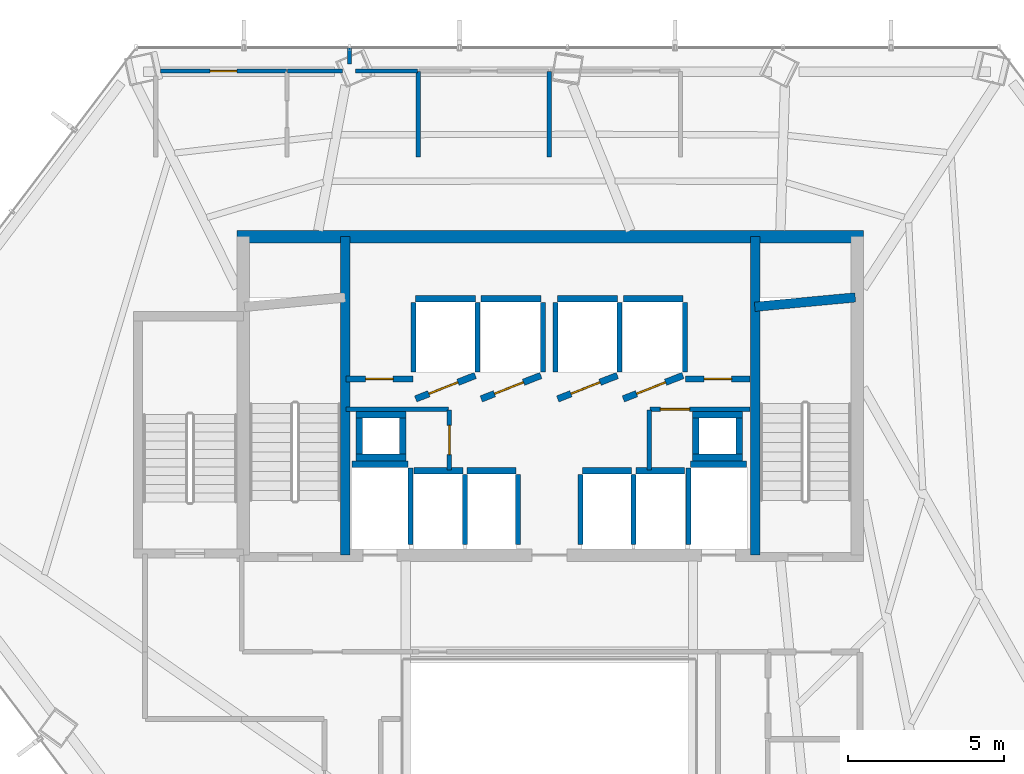
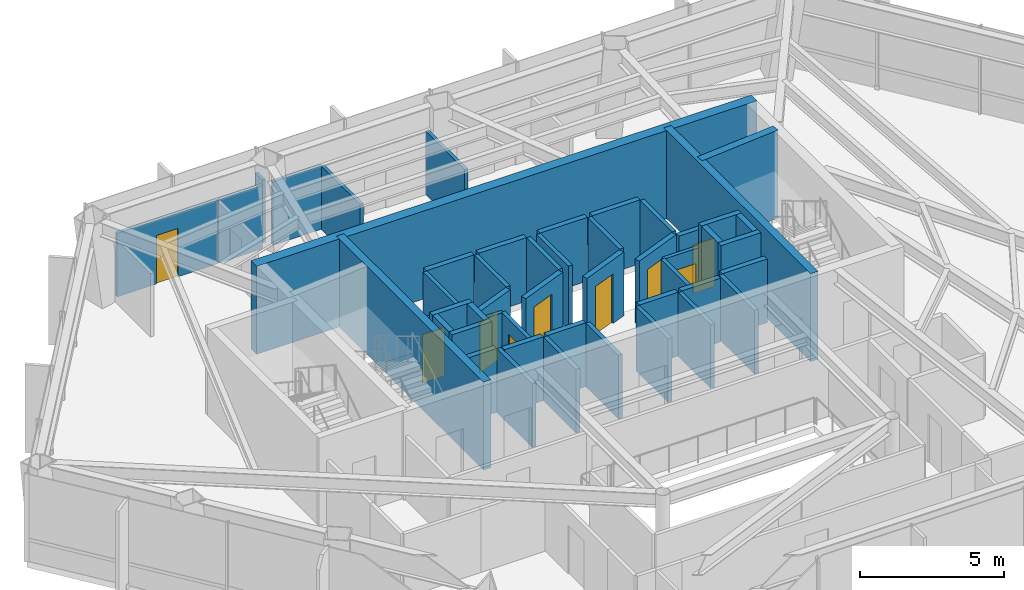
# One storey, part 23 of 25: 50 walls, 9 doors, 9 openings.
"""IFC4 building model written with IfcOpenShell, lengths in metres."""

from ifc_helpers import new_model, si_unit, direction, frame, frame_2d, origin, place, context, subcontext, project, spatial, rectangle, extrude, material, layer, layer_set, type_object, element, fill, save


model = new_model("IFC4")

# Units and contexts
model_context = context("Model", 3, precision=1e-05, world=origin(), true_north=direction((0.0, 1.0)))
body_context = subcontext(model_context, "Body", "Model", "MODEL_VIEW")
ifc_project = project(units=[si_unit("LENGTHUNIT", "METRE"), si_unit("AREAUNIT", "SQUARE_METRE"), si_unit("VOLUMEUNIT", "CUBIC_METRE"), si_unit("PLANEANGLEUNIT", "RADIAN"), si_unit("MASSUNIT", "GRAM", prefix="KILO")], contexts=[model_context])

# Site, building, storey
site_placement = place(None, origin())
site = spatial("IfcSite", under=ifc_project, at=site_placement, CompositionType="ELEMENT")
building_placement = place(site_placement, origin())
building = spatial("IfcBuilding", under=site, at=building_placement, Name="Zarrinselat Tower", CompositionType="ELEMENT")
storey_placement = place(building_placement, frame((0.0, 0.0, 105.06005859375)))
storey = spatial("IfcBuildingStorey", under=building, at=storey_placement, Name="L25", CompositionType="ELEMENT", Elevation=105.06005859375)

# Wall, opening, door
ifc_material_1 = material(Name="Fire-Rated Gypsum Board Partition", Category="gypsum")
ifc_layer_1 = layer(ifc_material_1, 0.14990234375)
ifc_layer_set_1 = layer_set([ifc_layer_1], Name="Fire-Rated Gypsum Board Partition")
wall_type_1 = type_object("IfcWallType", Name="WAL-PART-EI60", PredefinedType="PARTITIONING", material=ifc_layer_set_1)
wall_1_placement = place(storey_placement, frame((35.199951171875, 35.969970703125, 0.0), z_axis=(0.0, 0.0, 1.0), x_axis=(0.0, 1.0, 0.0)))
wall_1 = element("IfcWall", 1, at=wall_1_placement, inside=storey, type_object=wall_type_1, Name="L25 Partition Wall 1", PredefinedType="PARTITIONING", context=body_context, shape_type="SweptSolid", body=[
    extrude(rectangle(XDim=1.929931640625, YDim=0.14990234375, at=frame_2d((0.96484375, 0.0))), origin(), (0.0, 0.0, 1.0), 2.68701171875),
])
opening_1_placement = place(wall_1_placement, frame((0.4951171875, 0.0, 0.0)))
opening_1 = element("IfcOpeningElement", 2, at=opening_1_placement, cuts=wall_1, Name="Opening ID-04", PredefinedType="OPENING", context=body_context, shape_type="SweptSolid", body=[
    extrude(rectangle(XDim=0.93994140625, YDim=2.050048828125, at=frame_2d((0.469970703125, 1.02490234375))), frame((0.0, 0.0849609375, 0.0), z_axis=(0.0, -1.0, 0.0), x_axis=(1.0, 0.0, 0.0)), (0.0, 0.0, 1.0), 0.169921875),
])
ifc_material_2 = material(Name="Fire-Rated Gypsum Board Partition")
door_type_1 = type_object("IfcDoorType", Name="DR-INT-FD30-ENT", OperationType="NOTDEFINED", PredefinedType="DOOR", material=ifc_material_2)
door_1_placement = place(opening_1_placement, origin())
door_1 = element("IfcDoor", 3, at=door_1_placement, inside=storey, type_object=door_type_1, Name="L25 Interior Door P1", OperationType="SINGLE_SWING_RIGHT", OverallHeight=2.050048828125, OverallWidth=0.93994140625, PredefinedType="DOOR", context=body_context, shape_type="SweptSolid", body=[
    extrude(rectangle(XDim=0.93994140625, YDim=2.050048828125, at=frame_2d((0.469970703125, 1.02490234375))), frame((0.0, 0.02490234375, 0.0), z_axis=(0.0, -1.0, 0.0), x_axis=(1.0, 0.0, 0.0)), (0.0, 0.0, 1.0), 0.050048828125),
])
fill(opening_1, door_1)

# Wall
wall_2_placement = place(storey_placement, frame((31.885009765625, 37.919921875, 0.0), z_axis=(0.0, 0.0, 1.0), x_axis=(1.0, 0.0, 0.0)))
element("IfcWall", 4, at=wall_2_placement, inside=storey, type_object=wall_type_1, Name="L25 Partition Wall 2", PredefinedType="PARTITIONING", context=body_context, shape_type="SweptSolid", body=[
    extrude(rectangle(XDim=3.294921875, YDim=0.14990234375, at=frame_2d((1.6474609375, 0.0))), origin(), (0.0, 0.0, 1.0), 2.68701171875),
])

# Wall, opening, door
wall_3_placement = place(storey_placement, frame((41.6201171875, 37.919921875, 0.0), z_axis=(0.0, 0.0, 1.0), x_axis=(1.0, 0.0, 0.0)))
wall_3 = element("IfcWall", 5, at=wall_3_placement, inside=storey, type_object=wall_type_1, Name="L25 Partition Wall 5", PredefinedType="PARTITIONING", context=body_context, shape_type="SweptSolid", body=[
    extrude(rectangle(XDim=3.21484375, YDim=0.14990234375, at=frame_2d((1.607421875, 0.0))), origin(), (0.0, 0.0, 1.0), 2.68701171875),
])
opening_2_placement = place(wall_3_placement, frame((0.33740234375, 0.0, 0.0)))
opening_2 = element("IfcOpeningElement", 6, at=opening_2_placement, cuts=wall_3, Name="Opening ID-04", PredefinedType="OPENING", context=body_context, shape_type="SweptSolid", body=[
    extrude(rectangle(XDim=0.93994140625, YDim=2.050048828125, at=frame_2d((0.469970703125, 1.02490234375))), frame((0.0, 0.0849609375, 0.0), z_axis=(0.0, -1.0, 0.0), x_axis=(1.0, 0.0, 0.0)), (0.0, 0.0, 1.0), 0.169921875),
])
door_2_placement = place(opening_2_placement, origin())
door_2 = element("IfcDoor", 7, at=door_2_placement, inside=storey, type_object=door_type_1, Name="L25 Interior Door P5", OperationType="SINGLE_SWING_LEFT", OverallHeight=2.050048828125, OverallWidth=0.93994140625, PredefinedType="DOOR", context=body_context, shape_type="SweptSolid", body=[
    extrude(rectangle(XDim=0.93994140625, YDim=2.050048828125, at=frame_2d((0.469970703125, 1.02490234375))), frame((0.0, 0.02490234375, 0.0), z_axis=(0.0, -1.0, 0.0), x_axis=(1.0, 0.0, 0.0)), (0.0, 0.0, 1.0), 0.050048828125),
])
fill(opening_2, door_2)

# Wall
wall_4_placement = place(storey_placement, frame((41.60009765625, 35.969970703125, 0.0), z_axis=(0.0, 0.0, 1.0), x_axis=(0.0, 1.0, 0.0)))
element("IfcWall", 8, at=wall_4_placement, inside=storey, type_object=wall_type_1, Name="L25 Partition Wall 6", PredefinedType="PARTITIONING", context=body_context, shape_type="SweptSolid", body=[
    extrude(rectangle(XDim=1.929931640625, YDim=0.14990234375, at=frame_2d((0.96484375, 0.0))), origin(), (0.0, 0.0, 1.0), 2.68701171875),
])

# Wall, opening, door
ifc_material_3 = material(Name="Concrete C40/50", Category="concrete")
ifc_layer_2 = layer(ifc_material_3, 0.199951171875)
ifc_layer_set_2 = layer_set([ifc_layer_2], Name="Concrete C40/50")
wall_type_2 = type_object("IfcWallType", Name="WAL-PART-PLANT", PredefinedType="PARTITIONING", material=ifc_layer_set_2)
wall_5_placement = place(storey_placement, frame((31.885009765625, 38.889892578125, 0.0), z_axis=(0.0, 0.0, 1.0), x_axis=(1.0, 0.0, 0.0)))
wall_5 = element("IfcWall", 9, at=wall_5_placement, inside=storey, type_object=wall_type_2, Name="L25 Partition Wall 3", PredefinedType="PARTITIONING", context=body_context, shape_type="SweptSolid", body=[
    extrude(rectangle(XDim=2.14990234375, YDim=0.199951171875, at=frame_2d((1.074951171875, 0.0))), origin(), (0.0, 0.0, 1.0), 2.68701171875),
])
opening_3_placement = place(wall_5_placement, frame((0.635009765625, 0.0, 0.0)))
opening_3 = element("IfcOpeningElement", 10, at=opening_3_placement, cuts=wall_5, Name="Opening ID-03", PredefinedType="OPENING", context=body_context, shape_type="SweptSolid", body=[
    extrude(rectangle(XDim=0.8798828125, YDim=2.050048828125, at=frame_2d((0.43994140625, 1.02490234375))), frame((0.0, 0.10986328125, 0.0), z_axis=(0.0, -1.0, 0.0), x_axis=(1.0, 0.0, 0.0)), (0.0, 0.0, 1.0), 0.219970703125),
])
ifc_material_4 = material(Name="Steel S355J2", Category="steel")
door_type_2 = type_object("IfcDoorType", Name="DR-INT-FD60-S", OperationType="NOTDEFINED", PredefinedType="DOOR", material=ifc_material_4)
door_3_placement = place(opening_3_placement, origin())
door_3 = element("IfcDoor", 11, at=door_3_placement, inside=storey, type_object=door_type_2, Name="L25 Interior Door P3", OperationType="SINGLE_SWING_LEFT", OverallHeight=2.050048828125, OverallWidth=0.8798828125, PredefinedType="DOOR", context=body_context, shape_type="SweptSolid", body=[
    extrude(rectangle(XDim=0.8798828125, YDim=2.050048828125, at=frame_2d((0.43994140625, 1.02490234375))), frame((0.0, 0.02490234375, 0.0), z_axis=(0.0, -1.0, 0.0), x_axis=(1.0, 0.0, 0.0)), (0.0, 0.0, 1.0), 0.050048828125),
])
fill(opening_3, door_3)

wall_6_placement = place(storey_placement, frame((42.764892578125, 38.889892578125, 0.0), z_axis=(0.0, 0.0, 1.0), x_axis=(1.0, 0.0, 0.0)))
wall_6 = element("IfcWall", 12, at=wall_6_placement, inside=storey, type_object=wall_type_2, Name="L25 Partition Wall 4", PredefinedType="PARTITIONING", context=body_context, shape_type="SweptSolid", body=[
    extrude(rectangle(XDim=2.070068359375, YDim=0.199951171875, at=frame_2d((1.03515625, 0.0))), origin(), (0.0, 0.0, 1.0), 2.68701171875),
])
opening_4_placement = place(wall_6_placement, frame((0.594970703125, 0.0, 0.0)))
opening_4 = element("IfcOpeningElement", 13, at=opening_4_placement, cuts=wall_6, Name="Opening ID-03", PredefinedType="OPENING", context=body_context, shape_type="SweptSolid", body=[
    extrude(rectangle(XDim=0.8798828125, YDim=2.050048828125, at=frame_2d((0.43994140625, 1.02490234375))), frame((0.0, 0.10986328125, 0.0), z_axis=(0.0, -1.0, 0.0), x_axis=(1.0, 0.0, 0.0)), (0.0, 0.0, 1.0), 0.219970703125),
])
door_4_placement = place(opening_4_placement, origin())
door_4 = element("IfcDoor", 14, at=door_4_placement, inside=storey, type_object=door_type_2, Name="L25 Interior Door P4", OperationType="SINGLE_SWING_RIGHT", OverallHeight=2.050048828125, OverallWidth=0.8798828125, PredefinedType="DOOR", context=body_context, shape_type="SweptSolid", body=[
    extrude(rectangle(XDim=0.8798828125, YDim=2.050048828125, at=frame_2d((0.43994140625, 1.02490234375))), frame((0.0, 0.02490234375, 0.0), z_axis=(0.0, -1.0, 0.0), x_axis=(1.0, 0.0, 0.0)), (0.0, 0.0, 1.0), 0.050048828125),
])
fill(opening_4, door_4)

# Wall
ifc_material_5 = material(Name="Fire-Rated Gypsum Board Partition", Category="gypsum")
ifc_layer_3 = layer(ifc_material_5, 0.1201171875)
ifc_layer_set_3 = layer_set([ifc_layer_3], Name="Fire-Rated Gypsum Board Partition")
wall_type_3 = type_object("IfcWallType", Name="WAL-PART-STD", PredefinedType="PARTITIONING", material=ifc_layer_set_3)
wall_7_placement = place(storey_placement, frame((32.0, 48.9765625, 0.0), z_axis=(0.0, 0.0, 1.0), x_axis=(0.0, 1.0, 0.0)))
element("IfcWall", 15, at=wall_7_placement, inside=storey, type_object=wall_type_3, Name="L25 Partition Wall 45", PredefinedType="PARTITIONING", context=body_context, shape_type="SweptSolid", body=[
    extrude(rectangle(XDim=0.508544921875, YDim=0.1201171875, at=frame_2d((0.25439453125, 0.0))), origin(), (0.0, 0.0, 1.0), 2.68701171875),
])

# Wall, opening, door
ifc_material_6 = material(Name="Fire-Rated Gypsum Board Partition", Category="gypsum")
ifc_layer_4 = layer(ifc_material_6, 0.135009765625)
ifc_layer_set_4 = layer_set([ifc_layer_4], Name="Fire-Rated Gypsum Board Partition")
wall_type_4 = type_object("IfcWallType", Name="WAL-PART-WET", PredefinedType="PARTITIONING", material=ifc_layer_set_4)
wall_8_placement = place(storey_placement, frame((25.950927734375, 48.75, 0.0), z_axis=(0.0, 0.0, 1.0), x_axis=(1.0, 0.0, 0.0)))
wall_8 = element("IfcWall", 16, at=wall_8_placement, inside=storey, type_object=wall_type_4, Name="L25 Partition Wall 33", PredefinedType="PARTITIONING", context=body_context, shape_type="SweptSolid", body=[
    extrude(rectangle(XDim=4.029052734375, YDim=0.135009765625, at=frame_2d((2.0146484375, 0.0))), origin(), (0.0, 0.0, 1.0), 2.68701171875),
])
opening_5_placement = place(wall_8_placement, frame((1.58447265625, 0.0, 0.0)))
opening_5 = element("IfcOpeningElement", 17, at=opening_5_placement, cuts=wall_8, Name="Opening ID-06", PredefinedType="OPENING", context=body_context, shape_type="SweptSolid", body=[
    extrude(rectangle(XDim=0.860107421875, YDim=2.050048828125, at=frame_2d((0.43017578125, 1.02490234375))), frame((0.0, 0.077392578125, 0.0), z_axis=(0.0, -1.0, 0.0), x_axis=(1.0, 0.0, 0.0)), (0.0, 0.0, 1.0), 0.155029296875),
])
ifc_material_7 = material(Name="Extruded Aluminium Alloy EN AW-6063 T6", Category="aluminium")
door_type_3 = type_object("IfcDoorType", Name="DR-INT-WET-900", OperationType="NOTDEFINED", PredefinedType="DOOR", material=ifc_material_7)
door_5_placement = place(opening_5_placement, origin())
door_5 = element("IfcDoor", 18, at=door_5_placement, inside=storey, type_object=door_type_3, Name="L25 Interior Door P33", OperationType="SINGLE_SWING_LEFT", OverallHeight=2.050048828125, OverallWidth=0.860107421875, PredefinedType="DOOR", context=body_context, shape_type="SweptSolid", body=[
    extrude(rectangle(XDim=0.860107421875, YDim=2.050048828125, at=frame_2d((0.43017578125, 1.02490234375))), frame((0.0, 0.02490234375, 0.0), z_axis=(0.0, -1.0, 0.0), x_axis=(1.0, 0.0, 0.0)), (0.0, 0.0, 1.0), 0.050048828125),
])
fill(opening_5, door_5)

# Walls
wall_9_placement = place(storey_placement, frame((34.199951171875, 46.0, 0.0), z_axis=(0.0, 0.0, 1.0), x_axis=(0.0, 1.0, 0.0)))
element("IfcWall", 19, at=wall_9_placement, inside=storey, type_object=wall_type_4, Name="L25 Partition Wall 35", PredefinedType="PARTITIONING", context=body_context, shape_type="SweptSolid", body=[
    extrude(rectangle(XDim=2.72998046875, YDim=0.135009765625, at=frame_2d((1.364990234375, 0.0))), origin(), (0.0, 0.0, 1.0), 2.68701171875),
])
wall_10_placement = place(storey_placement, frame((30.02001953125, 48.75, 0.0), z_axis=(0.0, 0.0, 1.0), x_axis=(1.0, 0.0, 0.0)))
element("IfcWall", 20, at=wall_10_placement, inside=storey, type_object=wall_type_4, Name="L25 Partition Wall 36", PredefinedType="PARTITIONING", context=body_context, shape_type="SweptSolid", body=[
    extrude(rectangle(XDim=1.754638671875, YDim=0.135009765625, at=frame_2d((0.87744140625, 0.0))), origin(), (0.0, 0.0, 1.0), 2.68701171875),
])
wall_11_placement = place(storey_placement, frame((32.19775390625, 48.75, 0.0), z_axis=(0.0, 0.0, 1.0), x_axis=(1.0, 0.0, 0.0)))
element("IfcWall", 21, at=wall_11_placement, inside=storey, type_object=wall_type_4, Name="L25 Partition Wall 37", PredefinedType="PARTITIONING", context=body_context, shape_type="SweptSolid", body=[
    extrude(rectangle(XDim=1.982177734375, YDim=0.135009765625, at=frame_2d((0.9912109375, 0.0))), origin(), (0.0, 0.0, 1.0), 2.68701171875),
])
wall_12_placement = place(storey_placement, frame((38.39990234375, 46.0, 0.0), z_axis=(0.0, 0.0, 1.0), x_axis=(0.0, 1.0, 0.0)))
element("IfcWall", 22, at=wall_12_placement, inside=storey, type_object=wall_type_4, Name="L25 Partition Wall 38", PredefinedType="PARTITIONING", context=body_context, shape_type="SweptSolid", body=[
    extrude(rectangle(XDim=2.72998046875, YDim=0.135009765625, at=frame_2d((1.364990234375, 0.0))), origin(), (0.0, 0.0, 1.0), 2.68701171875),
])
ifc_material_8 = material(Name="Concrete C40/50", Category="concrete")
ifc_layer_5 = layer(ifc_material_8, 0.2099609375)
ifc_layer_set_5 = layer_set([ifc_layer_5], Name="Concrete C40/50")
wall_type_5 = type_object("IfcWallType", Name="WAL-SHAFT-210", PredefinedType="SOLIDWALL", material=ifc_layer_set_5)
wall_13_placement = place(storey_placement, frame((32.080078125, 36.155029296875, 0.0), z_axis=(0.0, 0.0, 1.0), x_axis=(1.0, 0.0, 0.0)))
element("IfcWall", 23, at=wall_13_placement, inside=storey, type_object=wall_type_5, Name="L25 Lift FFL1 North Shaft Wall", PredefinedType="SOLIDWALL", context=body_context, shape_type="SweptSolid", body=[
    extrude(rectangle(XDim=1.7998046875, YDim=0.2099609375, at=frame_2d((0.89990234375, 0.0))), origin(), (0.0, 0.0, 1.0), 2.701904296875),
])
wall_14_placement = place(storey_placement, frame((33.949951171875, 33.580078125, 0.0), z_axis=(0.0, 0.0, 1.0), x_axis=(0.0, 1.0, 0.0)))
element("IfcWall", 24, at=wall_14_placement, inside=storey, type_object=wall_type_5, Name="L25 Lift FFL1 E Shaft Wall", PredefinedType="SOLIDWALL", context=body_context, shape_type="SweptSolid", body=[
    extrude(rectangle(XDim=2.449951171875, YDim=0.159912109375, at=frame_2d((1.22509765625, 0.0))), origin(), (0.0, 0.0, 1.0), 2.701904296875),
])
wall_15_placement = place(storey_placement, frame((42.919921875, 36.155029296875, 0.0), z_axis=(0.0, 0.0, 1.0), x_axis=(1.0, 0.0, 0.0)))
element("IfcWall", 25, at=wall_15_placement, inside=storey, type_object=wall_type_5, Name="L25 Lift FFL2 North Shaft Wall", PredefinedType="SOLIDWALL", context=body_context, shape_type="SweptSolid", body=[
    extrude(rectangle(XDim=1.800048828125, YDim=0.2099609375, at=frame_2d((0.89990234375, 0.0))), origin(), (0.0, 0.0, 1.0), 2.701904296875),
])
wall_16_placement = place(storey_placement, frame((42.85009765625, 33.580078125, 0.0), z_axis=(0.0, 0.0, 1.0), x_axis=(0.0, 1.0, 0.0)))
element("IfcWall", 26, at=wall_16_placement, inside=storey, type_object=wall_type_5, Name="L25 Lift FFL2 W Shaft Wall", PredefinedType="SOLIDWALL", context=body_context, shape_type="SweptSolid", body=[
    extrude(rectangle(XDim=2.449951171875, YDim=0.159912109375, at=frame_2d((1.22509765625, 0.0))), origin(), (0.0, 0.0, 1.0), 2.701904296875),
])

# Wall, opening, door
wall_17_placement = place(storey_placement, frame((34.1201171875, 38.25, 0.0), z_axis=(0.0, 0.0, 1.0), x_axis=(0.930804993012, 0.36551616241, 0.0)))
wall_17 = element("IfcWall", 27, at=wall_17_placement, inside=storey, type_object=wall_type_5, Name="L25 Lift PL1 Front Shaft Wall", PredefinedType="SOLIDWALL", context=body_context, shape_type="SweptSolid", body=[
    extrude(rectangle(XDim=2.052001953125, YDim=0.2099609375, at=frame_2d((1.02587890625, 0.0))), origin(), (0.0, 0.0, 1.0), 2.701904296875),
])
opening_6_placement = place(wall_17_placement, frame((0.455078125, 0.0, 0.0)))
opening_6 = element("IfcOpeningElement", 28, at=opening_6_placement, cuts=wall_17, Name="Opening LD-PL1", PredefinedType="OPENING", context=body_context, shape_type="SweptSolid", body=[
    extrude(rectangle(XDim=1.0, YDim=2.10009765625, at=frame_2d((0.5, 1.050048828125))), frame((0.0, 0.114990234375, 0.0), z_axis=(0.0, -1.0, 0.0), x_axis=(1.0, 0.0, 0.0)), (0.0, 0.0, 1.0), 0.22998046875),
])
ifc_material_9 = material(Name="Steel S355J2", Category="steel")
door_type_4 = type_object("IfcDoorType", Name="DR-LIFT-PS-1000", OperationType="NOTDEFINED", PredefinedType="DOOR", material=ifc_material_9)
door_6_placement = place(opening_6_placement, origin())
door_6 = element("IfcDoor", 29, at=door_6_placement, inside=storey, type_object=door_type_4, Name="L25 Lift PL1 Sliding Landing Door", OperationType="SLIDING_TO_LEFT", OverallHeight=2.10009765625, OverallWidth=1.0, PredefinedType="DOOR", context=body_context, shape_type="SweptSolid", body=[
    extrude(rectangle(XDim=1.0, YDim=2.10009765625, at=frame_2d((0.5, 1.050048828125))), frame((0.0, 0.02490234375, 0.0), z_axis=(0.0, -1.0, 0.0), x_axis=(1.0, 0.0, 0.0)), (0.0, 0.0, 1.0), 0.050048828125),
])
fill(opening_6, door_6)

# Walls
wall_18_placement = place(storey_placement, frame((34.1201171875, 41.455078125, 0.0), z_axis=(0.0, 0.0, 1.0), x_axis=(1.0, 0.0, 0.0)))
element("IfcWall", 30, at=wall_18_placement, inside=storey, type_object=wall_type_5, Name="L25 Lift PL1 Rear Shaft Wall", PredefinedType="SOLIDWALL", context=body_context, shape_type="SweptSolid", body=[
    extrude(rectangle(XDim=1.909912109375, YDim=0.2099609375, at=frame_2d((0.955078125, 0.0))), origin(), (0.0, 0.0, 1.0), 2.701904296875),
])
for number, where, z_axis, x_axis, name in (
    (31, (34.050048828125, 39.1201171875, 0.0), (0.0, 0.0, 1.0), (0.0, 1.0, 0.0), "L25 Lift PL1 W Shaft Wall"),
    (32, (36.10009765625, 39.1201171875, 0.0), (0.0, 0.0, 1.0), (0.0, 1.0, 0.0), "L25 Lift PL1 E Shaft Wall"),
):
    element("IfcWall", number, at=place(storey_placement, frame(where, z_axis=z_axis, x_axis=x_axis)), inside=storey, type_object=wall_type_5, Name=name, PredefinedType="SOLIDWALL", context=body_context, shape_type="SweptSolid", body=[
        extrude(rectangle(XDim=2.2099609375, YDim=0.159912109375, at=frame_2d((1.10498046875, 0.0))), origin(), (0.0, 0.0, 1.0), 2.701904296875),
    ])

# Wall, opening, door
wall_19_placement = place(storey_placement, frame((36.219970703125, 38.25, 0.0), z_axis=(0.0, 0.0, 1.0), x_axis=(0.930804993012, 0.36551616241, 0.0)))
wall_19 = element("IfcWall", 33, at=wall_19_placement, inside=storey, type_object=wall_type_5, Name="L25 Lift PL2 Front Shaft Wall", PredefinedType="SOLIDWALL", context=body_context, shape_type="SweptSolid", body=[
    extrude(rectangle(XDim=2.052001953125, YDim=0.2099609375, at=frame_2d((1.02587890625, 0.0))), origin(), (0.0, 0.0, 1.0), 2.701904296875),
])
opening_7_placement = place(wall_19_placement, frame((0.455078125, 0.0, 0.0)))
opening_7 = element("IfcOpeningElement", 34, at=opening_7_placement, cuts=wall_19, Name="Opening LD-PL2", PredefinedType="OPENING", context=body_context, shape_type="SweptSolid", body=[
    extrude(rectangle(XDim=1.0, YDim=2.10009765625, at=frame_2d((0.5, 1.050048828125))), frame((0.0, 0.114990234375, 0.0), z_axis=(0.0, -1.0, 0.0), x_axis=(1.0, 0.0, 0.0)), (0.0, 0.0, 1.0), 0.22998046875),
])
door_7_placement = place(opening_7_placement, origin())
door_7 = element("IfcDoor", 35, at=door_7_placement, inside=storey, type_object=door_type_4, Name="L25 Lift PL2 Sliding Landing Door", OperationType="SLIDING_TO_RIGHT", OverallHeight=2.10009765625, OverallWidth=1.0, PredefinedType="DOOR", context=body_context, shape_type="SweptSolid", body=[
    extrude(rectangle(XDim=1.0, YDim=2.10009765625, at=frame_2d((0.5, 1.050048828125))), frame((0.0, 0.02490234375, 0.0), z_axis=(0.0, -1.0, 0.0), x_axis=(1.0, 0.0, 0.0)), (0.0, 0.0, 1.0), 0.050048828125),
])
fill(opening_7, door_7)

# Walls
wall_20_placement = place(storey_placement, frame((36.219970703125, 41.455078125, 0.0), z_axis=(0.0, 0.0, 1.0), x_axis=(1.0, 0.0, 0.0)))
element("IfcWall", 36, at=wall_20_placement, inside=storey, type_object=wall_type_5, Name="L25 Lift PL2 Rear Shaft Wall", PredefinedType="SOLIDWALL", context=body_context, shape_type="SweptSolid", body=[
    extrude(rectangle(XDim=1.909912109375, YDim=0.2099609375, at=frame_2d((0.955078125, 0.0))), origin(), (0.0, 0.0, 1.0), 2.701904296875),
])
wall_21_placement = place(storey_placement, frame((38.199951171875, 39.1201171875, 0.0), z_axis=(0.0, 0.0, 1.0), x_axis=(0.0, 1.0, 0.0)))
element("IfcWall", 37, at=wall_21_placement, inside=storey, type_object=wall_type_5, Name="L25 Lift PL2 E Shaft Wall", PredefinedType="SOLIDWALL", context=body_context, shape_type="SweptSolid", body=[
    extrude(rectangle(XDim=2.2099609375, YDim=0.159912109375, at=frame_2d((1.10498046875, 0.0))), origin(), (0.0, 0.0, 1.0), 2.701904296875),
])

# Wall, opening, door
wall_22_placement = place(storey_placement, frame((38.669921875, 38.25, 0.0), z_axis=(0.0, 0.0, 1.0), x_axis=(0.930820886763, 0.3654756856, 0.0)))
wall_22 = element("IfcWall", 38, at=wall_22_placement, inside=storey, type_object=wall_type_5, Name="L25 Lift PL3 Front Shaft Wall", PredefinedType="SOLIDWALL", context=body_context, shape_type="SweptSolid", body=[
    extrude(rectangle(XDim=2.052001953125, YDim=0.2099609375, at=frame_2d((1.02587890625, 0.0))), origin(), (0.0, 0.0, 1.0), 2.701904296875),
])
opening_8_placement = place(wall_22_placement, frame((0.455078125, 0.0, 0.0)))
opening_8 = element("IfcOpeningElement", 39, at=opening_8_placement, cuts=wall_22, Name="Opening LD-PL3", PredefinedType="OPENING", context=body_context, shape_type="SweptSolid", body=[
    extrude(rectangle(XDim=1.0, YDim=2.10009765625, at=frame_2d((0.5, 1.050048828125))), frame((0.0, 0.114990234375, 0.0), z_axis=(0.0, -1.0, 0.0), x_axis=(1.0, 0.0, 0.0)), (0.0, 0.0, 1.0), 0.22998046875),
])
door_8_placement = place(opening_8_placement, origin())
door_8 = element("IfcDoor", 40, at=door_8_placement, inside=storey, type_object=door_type_4, Name="L25 Lift PL3 Sliding Landing Door", OperationType="SLIDING_TO_LEFT", OverallHeight=2.10009765625, OverallWidth=1.0, PredefinedType="DOOR", context=body_context, shape_type="SweptSolid", body=[
    extrude(rectangle(XDim=1.0, YDim=2.10009765625, at=frame_2d((0.5, 1.050048828125))), frame((0.0, 0.02490234375, 0.0), z_axis=(0.0, -1.0, 0.0), x_axis=(1.0, 0.0, 0.0)), (0.0, 0.0, 1.0), 0.050048828125),
])
fill(opening_8, door_8)

# Walls
wall_23_placement = place(storey_placement, frame((38.669921875, 41.455078125, 0.0), z_axis=(0.0, 0.0, 1.0), x_axis=(1.0, 0.0, 0.0)))
element("IfcWall", 41, at=wall_23_placement, inside=storey, type_object=wall_type_5, Name="L25 Lift PL3 Rear Shaft Wall", PredefinedType="SOLIDWALL", context=body_context, shape_type="SweptSolid", body=[
    extrude(rectangle(XDim=1.91015625, YDim=0.2099609375, at=frame_2d((0.955078125, 0.0))), origin(), (0.0, 0.0, 1.0), 2.701904296875),
])
for number, where, z_axis, x_axis, name in (
    (42, (38.60009765625, 39.1201171875, 0.0), (0.0, 0.0, 1.0), (0.0, 1.0, 0.0), "L25 Lift PL3 W Shaft Wall"),
    (43, (40.64990234375, 39.1201171875, 0.0), (0.0, 0.0, 1.0), (0.0, 1.0, 0.0), "L25 Lift PL3 E Shaft Wall"),
):
    element("IfcWall", number, at=place(storey_placement, frame(where, z_axis=z_axis, x_axis=x_axis)), inside=storey, type_object=wall_type_5, Name=name, PredefinedType="SOLIDWALL", context=body_context, shape_type="SweptSolid", body=[
        extrude(rectangle(XDim=2.2099609375, YDim=0.159912109375, at=frame_2d((1.10498046875, 0.0))), origin(), (0.0, 0.0, 1.0), 2.701904296875),
    ])

# Wall, opening, door
wall_24_placement = place(storey_placement, frame((40.77001953125, 38.25, 0.0), z_axis=(0.0, 0.0, 1.0), x_axis=(0.930804993012, 0.36551616241, 0.0)))
wall_24 = element("IfcWall", 44, at=wall_24_placement, inside=storey, type_object=wall_type_5, Name="L25 Lift PL4 Front Shaft Wall", PredefinedType="SOLIDWALL", context=body_context, shape_type="SweptSolid", body=[
    extrude(rectangle(XDim=2.052001953125, YDim=0.2099609375, at=frame_2d((1.02587890625, 0.0))), origin(), (0.0, 0.0, 1.0), 2.701904296875),
])
opening_9_placement = place(wall_24_placement, frame((0.455078125, 0.0, 0.0)))
opening_9 = element("IfcOpeningElement", 45, at=opening_9_placement, cuts=wall_24, Name="Opening LD-PL4", PredefinedType="OPENING", context=body_context, shape_type="SweptSolid", body=[
    extrude(rectangle(XDim=1.0, YDim=2.10009765625, at=frame_2d((0.5, 1.050048828125))), frame((0.0, 0.114990234375, 0.0), z_axis=(0.0, -1.0, 0.0), x_axis=(1.0, 0.0, 0.0)), (0.0, 0.0, 1.0), 0.22998046875),
])
door_9_placement = place(opening_9_placement, origin())
door_9 = element("IfcDoor", 46, at=door_9_placement, inside=storey, type_object=door_type_4, Name="L25 Lift PL4 Sliding Landing Door", OperationType="SLIDING_TO_RIGHT", OverallHeight=2.10009765625, OverallWidth=1.0, PredefinedType="DOOR", context=body_context, shape_type="SweptSolid", body=[
    extrude(rectangle(XDim=1.0, YDim=2.10009765625, at=frame_2d((0.5, 1.050048828125))), frame((0.0, 0.02490234375, 0.0), z_axis=(0.0, -1.0, 0.0), x_axis=(1.0, 0.0, 0.0)), (0.0, 0.0, 1.0), 0.050048828125),
])
fill(opening_9, door_9)

# Walls
wall_25_placement = place(storey_placement, frame((40.77001953125, 41.455078125, 0.0), z_axis=(0.0, 0.0, 1.0), x_axis=(1.0, 0.0, 0.0)))
element("IfcWall", 47, at=wall_25_placement, inside=storey, type_object=wall_type_5, Name="L25 Lift PL4 Rear Shaft Wall", PredefinedType="SOLIDWALL", context=body_context, shape_type="SweptSolid", body=[
    extrude(rectangle(XDim=1.909912109375, YDim=0.2099609375, at=frame_2d((0.955078125, 0.0))), origin(), (0.0, 0.0, 1.0), 2.701904296875),
])
wall_26_placement = place(storey_placement, frame((42.75, 39.1201171875, 0.0), z_axis=(0.0, 0.0, 1.0), x_axis=(0.0, 1.0, 0.0)))
element("IfcWall", 48, at=wall_26_placement, inside=storey, type_object=wall_type_5, Name="L25 Lift PL4 E Shaft Wall", PredefinedType="SOLIDWALL", context=body_context, shape_type="SweptSolid", body=[
    extrude(rectangle(XDim=2.2099609375, YDim=0.159912109375, at=frame_2d((1.10498046875, 0.0))), origin(), (0.0, 0.0, 1.0), 2.701904296875),
])
wall_27_placement = place(storey_placement, frame((34.070068359375, 35.955078125, 0.0), z_axis=(0.0, 0.0, 1.0), x_axis=(1.0, 0.0, 0.0)))
element("IfcWall", 49, at=wall_27_placement, inside=storey, type_object=wall_type_5, Name="L25 Lift PL5 North Shaft Wall", PredefinedType="SOLIDWALL", context=body_context, shape_type="SweptSolid", body=[
    extrude(rectangle(XDim=1.559814453125, YDim=0.2099609375, at=frame_2d((0.77978515625, 0.0))), origin(), (0.0, 0.0, 1.0), 2.701904296875),
])
wall_28_placement = place(storey_placement, frame((35.699951171875, 33.580078125, 0.0), z_axis=(0.0, 0.0, 1.0), x_axis=(0.0, 1.0, 0.0)))
element("IfcWall", 50, at=wall_28_placement, inside=storey, type_object=wall_type_5, Name="L25 Lift PL5 E Shaft Wall", PredefinedType="SOLIDWALL", context=body_context, shape_type="SweptSolid", body=[
    extrude(rectangle(XDim=2.25, YDim=0.159912109375, at=frame_2d((1.125, 0.0))), origin(), (0.0, 0.0, 1.0), 2.701904296875),
])
wall_29_placement = place(storey_placement, frame((35.77001953125, 35.955078125, 0.0), z_axis=(0.0, 0.0, 1.0), x_axis=(1.0, 0.0, 0.0)))
element("IfcWall", 51, at=wall_29_placement, inside=storey, type_object=wall_type_5, Name="L25 Lift PL6 North Shaft Wall", PredefinedType="SOLIDWALL", context=body_context, shape_type="SweptSolid", body=[
    extrude(rectangle(XDim=1.56005859375, YDim=0.2099609375, at=frame_2d((0.780029296875, 0.0))), origin(), (0.0, 0.0, 1.0), 2.701904296875),
])
wall_30_placement = place(storey_placement, frame((37.39990234375, 33.580078125, 0.0), z_axis=(0.0, 0.0, 1.0), x_axis=(0.0, 1.0, 0.0)))
element("IfcWall", 52, at=wall_30_placement, inside=storey, type_object=wall_type_5, Name="L25 Lift PL6 E Shaft Wall", PredefinedType="SOLIDWALL", context=body_context, shape_type="SweptSolid", body=[
    extrude(rectangle(XDim=2.25, YDim=0.159912109375, at=frame_2d((1.125, 0.0))), origin(), (0.0, 0.0, 1.0), 2.701904296875),
])
wall_31_placement = place(storey_placement, frame((39.469970703125, 35.955078125, 0.0), z_axis=(0.0, 0.0, 1.0), x_axis=(1.0, 0.0, 0.0)))
element("IfcWall", 53, at=wall_31_placement, inside=storey, type_object=wall_type_5, Name="L25 Lift PL8 North Shaft Wall", PredefinedType="SOLIDWALL", context=body_context, shape_type="SweptSolid", body=[
    extrude(rectangle(XDim=1.56005859375, YDim=0.2099609375, at=frame_2d((0.780029296875, 0.0))), origin(), (0.0, 0.0, 1.0), 2.701904296875),
])
for number, where, z_axis, x_axis, name in (
    (54, (39.39990234375, 33.580078125, 0.0), (0.0, 0.0, 1.0), (0.0, 1.0, 0.0), "L25 Lift PL8 W Shaft Wall"),
    (55, (41.10009765625, 33.580078125, 0.0), (0.0, 0.0, 1.0), (0.0, 1.0, 0.0), "L25 Lift PL8 E Shaft Wall"),
):
    element("IfcWall", number, at=place(storey_placement, frame(where, z_axis=z_axis, x_axis=x_axis)), inside=storey, type_object=wall_type_5, Name=name, PredefinedType="SOLIDWALL", context=body_context, shape_type="SweptSolid", body=[
        extrude(rectangle(XDim=2.25, YDim=0.159912109375, at=frame_2d((1.125, 0.0))), origin(), (0.0, 0.0, 1.0), 2.701904296875),
    ])
wall_32_placement = place(storey_placement, frame((41.169921875, 35.955078125, 0.0), z_axis=(0.0, 0.0, 1.0), x_axis=(1.0, 0.0, 0.0)))
element("IfcWall", 56, at=wall_32_placement, inside=storey, type_object=wall_type_5, Name="L25 Lift PL9 North Shaft Wall", PredefinedType="SOLIDWALL", context=body_context, shape_type="SweptSolid", body=[
    extrude(rectangle(XDim=1.56005859375, YDim=0.2099609375, at=frame_2d((0.780029296875, 0.0))), origin(), (0.0, 0.0, 1.0), 2.701904296875),
])
for number, where, z_axis, x_axis, name in (
    (57, (32.2099609375, 36.375, 0.0), (0.0, 0.0, 1.0), (1.0, 0.0, 0.0), "L25 Core Riser RSR-W S Shaft Wall"),
    (58, (32.2099609375, 37.7451171875, 0.0), (0.0, 0.0, 1.0), (1.0, 0.0, 0.0), "L25 Core Riser RSR-W N Shaft Wall"),
):
    element("IfcWall", number, at=place(storey_placement, frame(where, z_axis=z_axis, x_axis=x_axis)), inside=storey, type_object=wall_type_5, Name=name, PredefinedType="SOLIDWALL", context=body_context, shape_type="SweptSolid", body=[
        extrude(rectangle(XDim=1.60009765625, YDim=0.2099609375, at=frame_2d((0.800048828125, 0.0))), origin(), (0.0, 0.0, 1.0), 3.72998046875),
    ])
for number, where, z_axis, x_axis, name in (
    (59, (32.31494140625, 36.485107421875, 0.0), (0.0, 0.0, 1.0), (0.0, 1.0, 0.0), "L25 Core Riser RSR-W W Shaft Wall"),
    (60, (33.705078125, 36.485107421875, 0.0), (0.0, 0.0, 1.0), (0.0, 1.0, 0.0), "L25 Core Riser RSR-W E Shaft Wall"),
):
    element("IfcWall", number, at=place(storey_placement, frame(where, z_axis=z_axis, x_axis=x_axis)), inside=storey, type_object=wall_type_5, Name=name, PredefinedType="SOLIDWALL", context=body_context, shape_type="SweptSolid", body=[
        extrude(rectangle(XDim=1.14990234375, YDim=0.2099609375, at=frame_2d((0.574951171875, 0.0))), origin(), (0.0, 0.0, 1.0), 3.72998046875),
    ])
for number, where, z_axis, x_axis, name in (
    (61, (42.989990234375, 36.375, 0.0), (0.0, 0.0, 1.0), (1.0, 0.0, 0.0), "L25 Core Riser RSR-E S Shaft Wall"),
    (62, (42.989990234375, 37.7451171875, 0.0), (0.0, 0.0, 1.0), (1.0, 0.0, 0.0), "L25 Core Riser RSR-E N Shaft Wall"),
):
    element("IfcWall", number, at=place(storey_placement, frame(where, z_axis=z_axis, x_axis=x_axis)), inside=storey, type_object=wall_type_5, Name=name, PredefinedType="SOLIDWALL", context=body_context, shape_type="SweptSolid", body=[
        extrude(rectangle(XDim=1.60009765625, YDim=0.2099609375, at=frame_2d((0.800048828125, 0.0))), origin(), (0.0, 0.0, 1.0), 3.72998046875),
    ])
for number, where, z_axis, x_axis, name in (
    (63, (43.094970703125, 36.485107421875, 0.0), (0.0, 0.0, 1.0), (0.0, 1.0, 0.0), "L25 Core Riser RSR-E W Shaft Wall"),
    (64, (44.485107421875, 36.485107421875, 0.0), (0.0, 0.0, 1.0), (0.0, 1.0, 0.0), "L25 Core Riser RSR-E E Shaft Wall"),
):
    element("IfcWall", number, at=place(storey_placement, frame(where, z_axis=z_axis, x_axis=x_axis)), inside=storey, type_object=wall_type_5, Name=name, PredefinedType="SOLIDWALL", context=body_context, shape_type="SweptSolid", body=[
        extrude(rectangle(XDim=1.14990234375, YDim=0.2099609375, at=frame_2d((0.574951171875, 0.0))), origin(), (0.0, 0.0, 1.0), 3.72998046875),
    ])
ifc_material_10 = material(Name="Concrete C40/50", Category="concrete")
ifc_layer_6 = layer(ifc_material_10, 0.300048828125)
ifc_layer_set_6 = layer_set([ifc_layer_6], Name="Concrete C40/50")
wall_type_6 = type_object("IfcWallType", Name="WAL-SHEAR-300", PredefinedType="SHEAR", material=ifc_layer_set_6)
for number, where, z_axis, x_axis, name in (
    (65, (31.8701171875, 33.25, 0.0), (0.0, 0.0, 1.0), (0.0, 1.0, 0.0), "L25 Core Shear Wall ST1E"),
    (66, (44.989990234375, 33.25, 0.0), (0.0, 0.0, 1.0), (0.0, 1.0, 0.0), "L25 Core Shear Wall ST2W"),
):
    element("IfcWall", number, at=place(storey_placement, frame(where, z_axis=z_axis, x_axis=x_axis)), inside=storey, type_object=wall_type_6, Name=name, PredefinedType="SHEAR", context=body_context, shape_type="SweptSolid", body=[
        extrude(rectangle(XDim=10.199951171875, YDim=0.300048828125, at=frame_2d((5.10009765625, 0.0))), origin(), (0.0, 0.0, 1.0), 3.72998046875),
    ])
wall_33_placement = place(storey_placement, frame((44.97998046875, 41.199951171875, 0.0), z_axis=(0.0, 0.0, 1.0), x_axis=(0.995686468965, 0.09278176286, 0.0)))
element("IfcWall", 67, at=wall_33_placement, inside=storey, type_object=wall_type_6, Name="L25 Stair 2 North Shaft Wall", PredefinedType="SHEAR", context=body_context, shape_type="SweptSolid", body=[
    extrude(rectangle(XDim=3.23388671875, YDim=0.300048828125, at=frame_2d((1.616943359375, 0.0))), origin(), (0.0, 0.0, 1.0), 3.72998046875),
])
ifc_material_11 = material(Name="Concrete C60/75", Category="concrete")
ifc_layer_7 = layer(ifc_material_11, 0.39990234375)
ifc_layer_set_7 = layer_set([ifc_layer_7], Name="Concrete C60/75")
wall_type_7 = type_object("IfcWallType", Name="WAL-SHEAR-400", PredefinedType="SHEAR", material=ifc_layer_set_7)
wall_34_placement = place(storey_placement, frame((28.39990234375, 43.449951171875, 0.0), z_axis=(0.0, 0.0, 1.0), x_axis=(1.0, 0.0, 0.0)))
element("IfcWall", 68, at=wall_34_placement, inside=storey, type_object=wall_type_7, Name="L25 North Core Shear Wall", PredefinedType="SHEAR", context=body_context, shape_type="SweptSolid", body=[
    extrude(rectangle(XDim=20.06005859375, YDim=0.39990234375, at=frame_2d((10.030029296875, 0.0))), origin(), (0.0, 0.0, 1.0), 3.72998046875),
])

save(model, "model.ifc")
